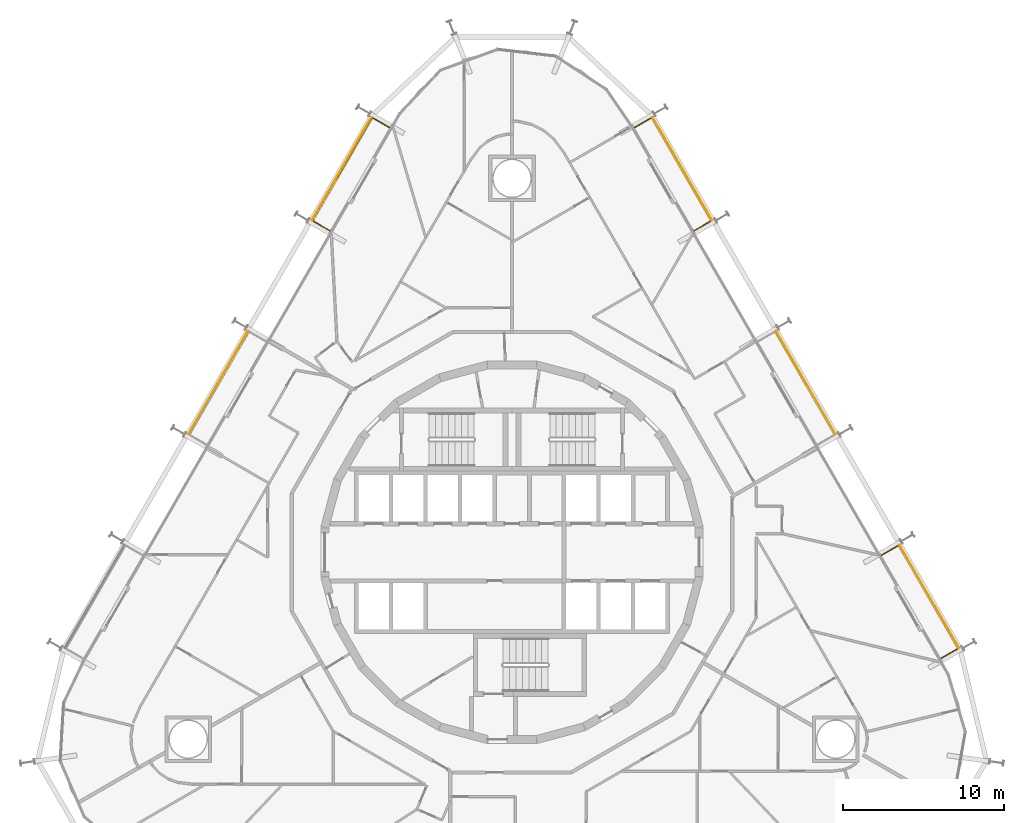
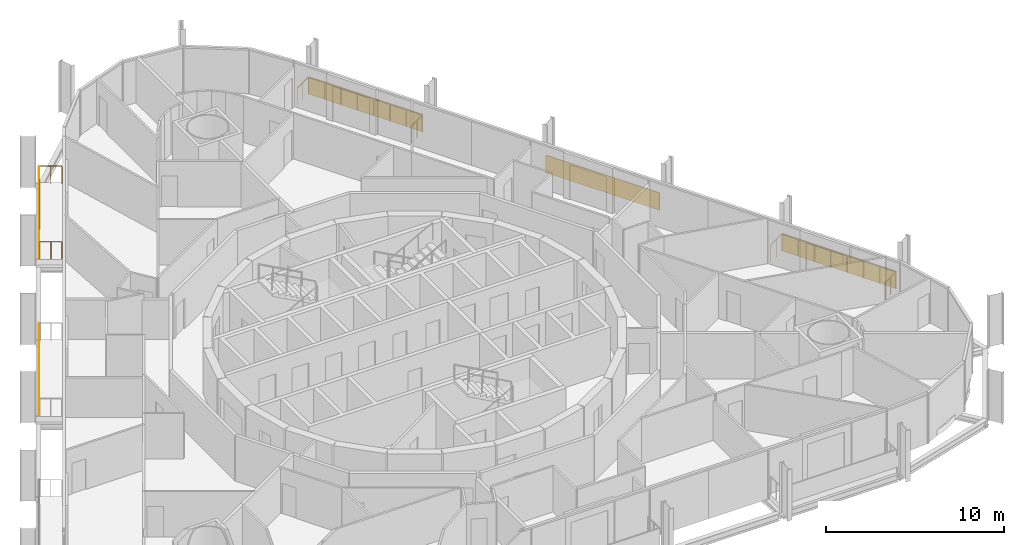
# One storey, part 21 of 21: 5 shading devices, 3 railings.
"""IFC4 building model written with IfcOpenShell, lengths in metres."""

from ifc_helpers import new_model, si_unit, direction, frame, origin, origin_2d, place, context, subcontext, project, spatial, rectangle, circle, extrude, material, layer, layer_set, type_object, element, save


model = new_model("IFC4")

# Units and contexts
model_context = context("Model", 3, precision=1e-05, world=origin(), true_north=direction((0.0, 1.0)))
body_context = subcontext(model_context, "Body", "Model", "MODEL_VIEW")
ifc_project = project(units=[si_unit("LENGTHUNIT", "METRE"), si_unit("AREAUNIT", "SQUARE_METRE"), si_unit("VOLUMEUNIT", "CUBIC_METRE"), si_unit("PLANEANGLEUNIT", "RADIAN"), si_unit("MASSUNIT", "GRAM", prefix="KILO")], contexts=[model_context])

# Site, building, storey
site_placement = place(None, origin())
site = spatial("IfcSite", under=ifc_project, at=site_placement, CompositionType="ELEMENT")
building_placement = place(site_placement, origin())
building = spatial("IfcBuilding", under=site, at=building_placement, Name="Spindle Arch Residences", CompositionType="ELEMENT")
storey_placement = place(building_placement, frame((0.0, 0.0, 55.89990234375)))
storey = spatial("IfcBuildingStorey", under=building, at=storey_placement, Name="L12", CompositionType="ELEMENT", Elevation=55.89990234375)

# Railings
ifc_material_1 = material(Name="Bronze anodised aluminium guard with glass infill", Category="aluminium")
railing_type = type_object("IfcRailingType", Name="Balcony guard 1200", PredefinedType="GUARDRAIL", material=ifc_material_1)
railing_1_placement = place(storey_placement, frame((26.697021484375, -6.60107421875, 0.0)))
element("IfcRailing", 1, at=railing_1_placement, inside=storey, type_object=railing_type, Name="Guard L12 bay 6", PredefinedType="GUARDRAIL", context=body_context, shape_type="SweptSolid", body=[
    extrude(circle(Radius=0.02392578125, at=origin_2d()), frame((0.0, 0.0, 1.17578125), z_axis=(0.866071776036, 0.499919672301, 0.0), x_axis=(-0.499919672301, 0.866071776036, 0.0)), (0.0, 0.0, 1.0), 1.250244140625),
    extrude(circle(Radius=0.02392578125, at=origin_2d()), frame((1.082763671875, 0.625, 1.17578125), z_axis=(-0.499994337101, 0.866028673236, 0.0), x_axis=(-0.866028673236, -0.499994337101, 0.0)), (0.0, 0.0, 1.0), 7.41015625),
    extrude(circle(Radius=0.02392578125, at=origin_2d()), frame((-2.622314453125, 7.04248046875, 1.17578125), z_axis=(-0.866022959057, -0.500004234368, 0.0), x_axis=(0.500004234368, -0.866022959057, 0.0)), (0.0, 0.0, 1.0), 1.25),
    extrude(circle(Radius=0.02099609375, at=origin_2d()), origin(), (0.0, 0.0, 1.0), 1.15185546875),
    extrude(circle(Radius=0.02099609375, at=origin_2d()), frame((0.54150390625, 0.3125, 0.0)), (0.0, 0.0, 1.0), 1.15185546875),
    extrude(circle(Radius=0.02099609375, at=origin_2d()), frame((1.082763671875, 0.625, 0.0)), (0.0, 0.0, 1.0), 1.15185546875),
    extrude(circle(Radius=0.02099609375, at=origin_2d()), frame((0.553466796875, 1.541748046875, 0.0)), (0.0, 0.0, 1.0), 1.15185546875),
    extrude(circle(Radius=0.02099609375, at=origin_2d()), frame((0.024169921875, 2.45849609375, 0.0)), (0.0, 0.0, 1.0), 1.15185546875),
    extrude(circle(Radius=0.02099609375, at=origin_2d()), frame((-0.505126953125, 3.375244140625, 0.0)), (0.0, 0.0, 1.0), 1.15185546875),
    extrude(circle(Radius=0.02099609375, at=origin_2d()), frame((-1.034423828125, 4.292236328125, 0.0)), (0.0, 0.0, 1.0), 1.15185546875),
    extrude(circle(Radius=0.02099609375, at=origin_2d()), frame((-1.563720703125, 5.208984375, 0.0)), (0.0, 0.0, 1.0), 1.15185546875),
    extrude(circle(Radius=0.02099609375, at=origin_2d()), frame((-2.093017578125, 6.125732421875, 0.0)), (0.0, 0.0, 1.0), 1.15185546875),
    extrude(circle(Radius=0.02099609375, at=origin_2d()), frame((-2.622314453125, 7.04248046875, 0.0)), (0.0, 0.0, 1.0), 1.15185546875),
    extrude(circle(Radius=0.02099609375, at=origin_2d()), frame((-3.16357421875, 6.72998046875, 0.0)), (0.0, 0.0, 1.0), 1.15185546875),
    extrude(circle(Radius=0.02099609375, at=origin_2d()), frame((-3.704833984375, 6.41748046875, 0.0)), (0.0, 0.0, 1.0), 1.15185546875),
])
railing_2_placement = place(storey_placement, frame((11.3369140625, 20.003662109375, 0.0)))
element("IfcRailing", 2, at=railing_2_placement, inside=storey, type_object=railing_type, Name="Guard L12 bay 10", PredefinedType="GUARDRAIL", context=body_context, shape_type="SweptSolid", body=[
    extrude(circle(Radius=0.02392578125, at=origin_2d()), frame((0.0, 0.0, 1.17578125), z_axis=(0.866022959057, 0.500004234368, 0.0), x_axis=(-0.500004234368, 0.866022959057, 0.0)), (0.0, 0.0, 1.0), 1.25),
    extrude(circle(Radius=0.02392578125, at=origin_2d()), frame((1.08251953125, 0.625, 1.17578125), z_axis=(-0.499983892715, 0.86603470313, 0.0), x_axis=(-0.86603470313, -0.499983892715, 0.0)), (0.0, 0.0, 1.0), 7.409912109375),
    extrude(circle(Radius=0.02392578125, at=origin_2d()), frame((-2.622314453125, 7.042236328125, 1.17578125), z_axis=(-0.866071776036, -0.499919672301, 0.0), x_axis=(0.499919672301, -0.866071776036, 0.0)), (0.0, 0.0, 1.0), 1.250244140625),
    extrude(circle(Radius=0.02099609375, at=origin_2d()), origin(), (0.0, 0.0, 1.0), 1.15185546875),
    extrude(circle(Radius=0.02099609375, at=origin_2d()), frame((0.541259765625, 0.3125, 0.0)), (0.0, 0.0, 1.0), 1.15185546875),
    extrude(circle(Radius=0.02099609375, at=origin_2d()), frame((1.08251953125, 0.625, 0.0)), (0.0, 0.0, 1.0), 1.15185546875),
    extrude(circle(Radius=0.02099609375, at=origin_2d()), frame((0.55322265625, 1.541748046875, 0.0)), (0.0, 0.0, 1.0), 1.15185546875),
    extrude(circle(Radius=0.02099609375, at=origin_2d()), frame((0.02392578125, 2.45849609375, 0.0)), (0.0, 0.0, 1.0), 1.15185546875),
    extrude(circle(Radius=0.02099609375, at=origin_2d()), frame((-0.50537109375, 3.375244140625, 0.0)), (0.0, 0.0, 1.0), 1.15185546875),
    extrude(circle(Radius=0.02099609375, at=origin_2d()), frame((-1.034423828125, 4.2919921875, 0.0)), (0.0, 0.0, 1.0), 1.15185546875),
    extrude(circle(Radius=0.02099609375, at=origin_2d()), frame((-1.563720703125, 5.208740234375, 0.0)), (0.0, 0.0, 1.0), 1.15185546875),
    extrude(circle(Radius=0.02099609375, at=origin_2d()), frame((-2.093017578125, 6.12548828125, 0.0)), (0.0, 0.0, 1.0), 1.15185546875),
    extrude(circle(Radius=0.02099609375, at=origin_2d()), frame((-2.622314453125, 7.042236328125, 0.0)), (0.0, 0.0, 1.0), 1.15185546875),
    extrude(circle(Radius=0.02099609375, at=origin_2d()), frame((-3.16357421875, 6.729736328125, 0.0)), (0.0, 0.0, 1.0), 1.15185546875),
    extrude(circle(Radius=0.02099609375, at=origin_2d()), frame((-3.705078125, 6.417236328125, 0.0)), (0.0, 0.0, 1.0), 1.15185546875),
])
railing_3_placement = place(storey_placement, frame((-7.6318359375, 26.4208984375, 0.0)))
element("IfcRailing", 3, at=railing_3_placement, inside=storey, type_object=railing_type, Name="Guard L12 bay 14", PredefinedType="GUARDRAIL", context=body_context, shape_type="SweptSolid", body=[
    extrude(circle(Radius=0.02392578125, at=origin_2d()), frame((0.0, 0.0, 1.17578125), z_axis=(-0.866071776036, 0.499919672301, 0.0), x_axis=(-0.499919672301, -0.866071776036, 0.0)), (0.0, 0.0, 1.0), 1.250244140625),
    extrude(circle(Radius=0.02392578125, at=origin_2d()), frame((-1.082763671875, 0.625, 1.17578125), z_axis=(-0.499983892715, -0.86603470313, 0.0), x_axis=(0.86603470313, -0.499983892715, 0.0)), (0.0, 0.0, 1.0), 7.409912109375),
    extrude(circle(Radius=0.02392578125, at=origin_2d()), frame((-4.78759765625, -5.792236328125, 1.17578125), z_axis=(0.866022959057, -0.500004234368, 0.0), x_axis=(0.500004234368, 0.866022959057, 0.0)), (0.0, 0.0, 1.0), 1.25),
    extrude(circle(Radius=0.02099609375, at=origin_2d()), origin(), (0.0, 0.0, 1.0), 1.15185546875),
    extrude(circle(Radius=0.02099609375, at=origin_2d()), frame((-0.54150390625, 0.3125, 0.0)), (0.0, 0.0, 1.0), 1.15185546875),
    extrude(circle(Radius=0.02099609375, at=origin_2d()), frame((-1.082763671875, 0.625, 0.0)), (0.0, 0.0, 1.0), 1.15185546875),
    extrude(circle(Radius=0.02099609375, at=origin_2d()), frame((-1.612060546875, -0.291748046875, 0.0)), (0.0, 0.0, 1.0), 1.15185546875),
    extrude(circle(Radius=0.02099609375, at=origin_2d()), frame((-2.141357421875, -1.20849609375, 0.0)), (0.0, 0.0, 1.0), 1.15185546875),
    extrude(circle(Radius=0.02099609375, at=origin_2d()), frame((-2.670654296875, -2.125244140625, 0.0)), (0.0, 0.0, 1.0), 1.15185546875),
    extrude(circle(Radius=0.02099609375, at=origin_2d()), frame((-3.19970703125, -3.0419921875, 0.0)), (0.0, 0.0, 1.0), 1.15185546875),
    extrude(circle(Radius=0.02099609375, at=origin_2d()), frame((-3.72900390625, -3.958740234375, 0.0)), (0.0, 0.0, 1.0), 1.15185546875),
    extrude(circle(Radius=0.02099609375, at=origin_2d()), frame((-4.25830078125, -4.87548828125, 0.0)), (0.0, 0.0, 1.0), 1.15185546875),
    extrude(circle(Radius=0.02099609375, at=origin_2d()), frame((-4.78759765625, -5.792236328125, 0.0)), (0.0, 0.0, 1.0), 1.15185546875),
    extrude(circle(Radius=0.02099609375, at=origin_2d()), frame((-4.246337890625, -6.104736328125, 0.0)), (0.0, 0.0, 1.0), 1.15185546875),
    extrude(circle(Radius=0.02099609375, at=origin_2d()), frame((-3.705078125, -6.417236328125, 0.0)), (0.0, 0.0, 1.0), 1.15185546875),
])

# Shading devices
ifc_material_2 = material(Name="Bronze perforated cobogo screen")
ifc_layer = layer(ifc_material_2, 0.0390625)
ifc_layer_set = layer_set([ifc_layer], Name="Cobogo screen 1200")
shading_device_type = type_object("IfcShadingDeviceType", Name="Cobogo screen 1200", PredefinedType="USERDEFINED", material=ifc_layer_set)
for number, where, z_axis, x_axis, name in (
    (4, (25.962158203125, -2.7470703125, 0.0), (0.0, 0.0, 1.0), (-0.5, 0.866025403784, 0.0), "Cobogo screen L12 bay 6"),
    (5, (18.2822265625, 10.55517578125, 0.0), (0.0, 0.0, 1.0), (-0.5, 0.866025403784, 0.0), "Cobogo screen L12 bay 8"),
    (6, (10.60205078125, 23.857421875, 0.0), (0.0, 0.0, 1.0), (-0.5, 0.866025403784, 0.0), "Cobogo screen L12 bay 10"),
    (7, (-10.60205078125, 23.857421875, 0.0), (0.0, 0.0, 1.0), (-0.5, -0.866025403784, 0.0), "Cobogo screen L12 bay 14"),
    (8, (-18.2822265625, 10.55517578125, 0.0), (0.0, 0.0, 1.0), (-0.5, -0.866025403784, 0.0), "Cobogo screen L12 bay 16"),
):
    element("IfcShadingDevice", number, at=place(storey_placement, frame(where, z_axis=z_axis, x_axis=x_axis)), inside=storey, type_object=shading_device_type, Name=name, ObjectType="SCREEN", PredefinedType="USERDEFINED", context=body_context, shape_type="SweptSolid", body=[
        extrude(rectangle(XDim=7.41015625, YDim=0.0390625, at=origin_2d()), origin(), (0.0, 0.0, 1.0), 1.199951171875),
    ])

save(model, "model.ifc")
